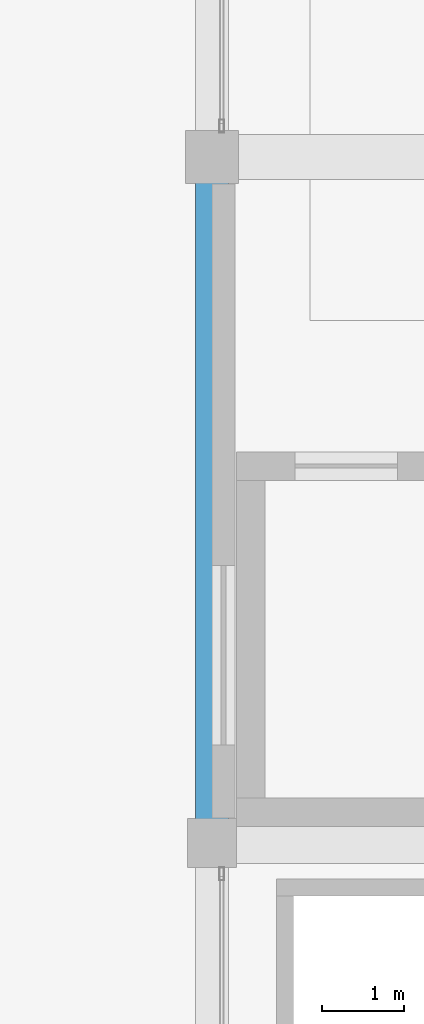
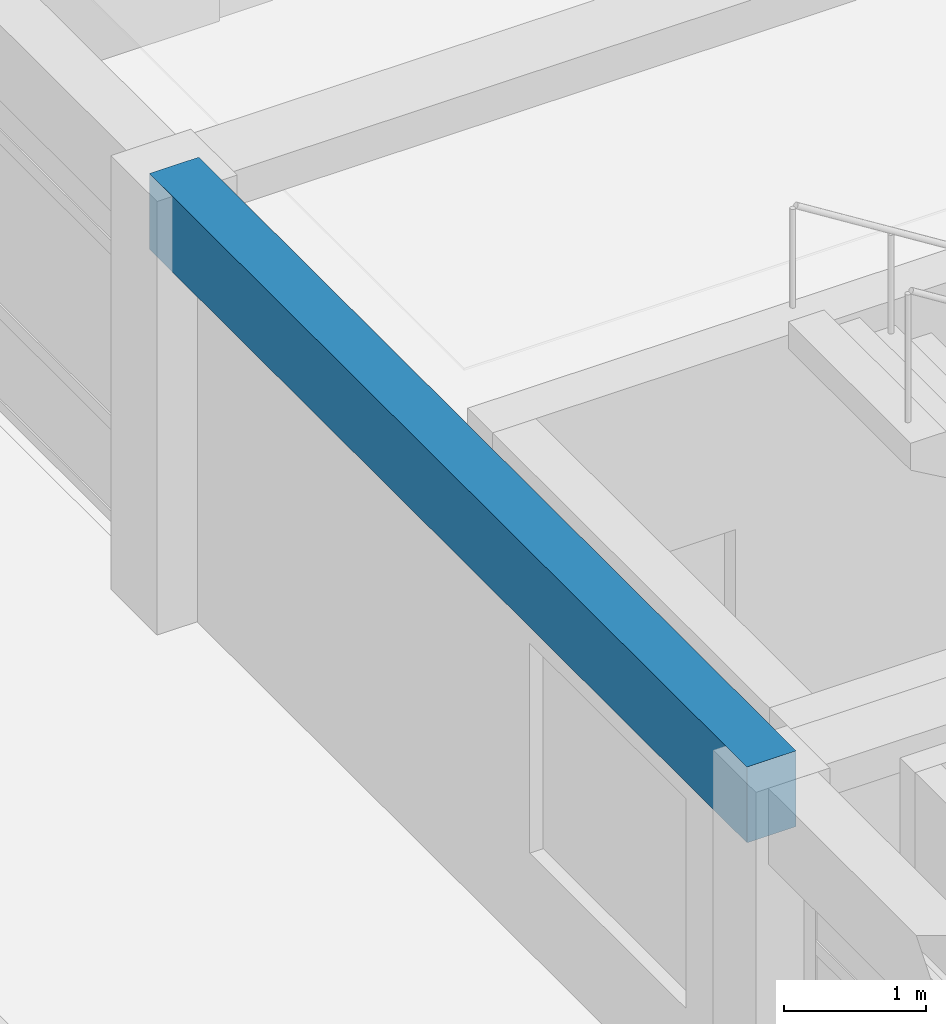
# One storey, part 3 of 26: 1 beam.
"""IFC4 building model written with IfcOpenShell, lengths in metres."""

import ifcopenshell
import ifcopenshell.guid

model = None  # the IFC model being written
_history = None  # IfcOwnerHistory: only IFC2X3 demands one
_inside = {}  # id of a spatial element -> (the spatial element, [elements in it])
_under = {}  # id of a project, library or spatial element -> (it, [spatial elements below it])
_declared = {}  # id of a project -> (the project, [libraries it declares])
_typed = {}  # id of a type object -> (the type object, [elements of that type])
_made_of = {}  # id of a material, layer set ... -> (it, [elements and type objects made of it])


def new_model(schema):
    """Start an empty IFC model of exactly this schema.

    Asked for "IFC4X3", IfcOpenShell would pick the latest addendum, in which some entities
    have other attributes; the version numbers below select the first issue.
    IFC2X3 requires an IfcOwnerHistory on every rooted entity: one is made here for all.
    """
    global model, _history
    if schema == "IFC4X3":
        model = ifcopenshell.file(schema_version=(4, 3, 0, 0))
    else:
        model = ifcopenshell.file(schema=schema)
    _inside.clear()
    _under.clear()
    _declared.clear()
    _typed.clear()
    _made_of.clear()
    _history = None
    if model.schema == "IFC2X3":
        org = make("IfcOrganization", Name="unknown")
        user = make(
            "IfcPersonAndOrganization",
            ThePerson=make("IfcPerson", FamilyName="unknown"),
            TheOrganization=org,
        )
        app = make(
            "IfcApplication",
            ApplicationDeveloper=org,
            Version="unknown",
            ApplicationFullName="unknown",
            ApplicationIdentifier="unknown",
        )
        _history = make(
            "IfcOwnerHistory",
            OwningUser=user,
            OwningApplication=app,
            ChangeAction="ADDED",
            CreationDate=0,
        )
    return model


def make(cls, **values):
    """One entity of the class cls with the attributes given. An attribute that is None is left unset."""
    return model.create_entity(
        cls, **{name: value for name, value in values.items() if value is not None}
    )


def rooted(cls, **values):
    """An entity with a GlobalId (a new one), such as an element, a storey or a relation."""
    return make(cls, GlobalId=ifcopenshell.guid.new(), OwnerHistory=_history, **values)


def si_unit(unit_type, name, prefix=None):
    """IfcSIUnit, for example si_unit("LENGTHUNIT", "METRE", prefix="MILLI")."""
    return make("IfcSIUnit", UnitType=unit_type, Prefix=prefix, Name=name)


def assignment(units):
    """IfcUnitAssignment: the units of a project."""
    return None if units is None else make("IfcUnitAssignment", Units=units)


def point(xyz):
    """IfcCartesianPoint."""
    return None if xyz is None else make("IfcCartesianPoint", Coordinates=xyz)


def direction(xyz):
    """IfcDirection."""
    return None if xyz is None else make("IfcDirection", DirectionRatios=xyz)


def frame(location, z_axis=None, x_axis=None):
    """IfcAxis2Placement3D, a coordinate frame: its origin and axes. An axis left out is left unset."""
    return make(
        "IfcAxis2Placement3D",
        Location=point(location),
        Axis=direction(z_axis),
        RefDirection=direction(x_axis),
    )


def frame_2d(location, x_axis=None):
    """IfcAxis2Placement2D, a coordinate frame in the plane: its origin and x axis."""
    return make(
        "IfcAxis2Placement2D", Location=point(location), RefDirection=direction(x_axis)
    )


def origin():
    """The frame at (0, 0, 0) with its axes left unset."""
    return frame((0.0, 0.0, 0.0))


def origin_2d():
    """The frame at (0, 0) in the plane with its x axis left unset."""
    return frame_2d((0.0, 0.0))


def place(relative_to, where):
    """IfcLocalPlacement: puts the frame where relative to a parent placement (None: the world)."""
    return make(
        "IfcLocalPlacement", PlacementRelTo=relative_to, RelativePlacement=where
    )


def context(
    kind, dimensions, precision=None, world=None, true_north=None, identifier=None
):
    """IfcGeometricRepresentationContext, for example the 3D "Model" context."""
    return make(
        "IfcGeometricRepresentationContext",
        ContextIdentifier=identifier,
        ContextType=kind,
        CoordinateSpaceDimension=dimensions,
        Precision=precision,
        WorldCoordinateSystem=world,
        TrueNorth=true_north,
    )


def subcontext(parent, identifier, kind, view, scale=None):
    """IfcGeometricRepresentationSubContext, for example "Body" below "Model"."""
    return make(
        "IfcGeometricRepresentationSubContext",
        ContextIdentifier=identifier,
        ContextType=kind,
        ParentContext=parent,
        TargetScale=scale,
        TargetView=view,
    )


def project(units=None, contexts=None):
    """IfcProject with its units and contexts."""
    return rooted(
        "IfcProject",
        Name="project",
        RepresentationContexts=contexts,
        UnitsInContext=assignment(units),
    )


def spatial(cls, under=None, at=None, **own):
    """A site, building, storey or space (cls), placed at a placement, below another one or the project."""
    s = rooted(cls, ObjectPlacement=at, **own)
    if under is not None:
        _under.setdefault(under.id(), (under, []))[1].append(s)
    return s


def profile(cls, at=None, kind="AREA", **sizes):
    """A parametric profile (cls). Its sizes go by their IFC names, for example OverallWidth=200.0."""
    return make(cls, ProfileType=kind, Position=at, **sizes)


def rectangle(**sizes):
    """IfcRectangleProfileDef."""
    return profile("IfcRectangleProfileDef", **sizes)


def extrude(swept, where, along, depth):
    """IfcExtrudedAreaSolid: the profile swept, set in the frame where, extruded along a direction by depth."""
    return make(
        "IfcExtrudedAreaSolid",
        SweptArea=swept,
        Position=where,
        ExtrudedDirection=direction(along),
        Depth=depth,
    )


def shape(context_of_items, identifier, shape_type, items):
    """IfcShapeRepresentation: the items that make up one representation, for example the "Body"."""
    return make(
        "IfcShapeRepresentation",
        ContextOfItems=context_of_items,
        RepresentationIdentifier=identifier,
        RepresentationType=shape_type,
        Items=items,
    )


def material(Name=None, Category=None):
    """IfcMaterial."""
    return make("IfcMaterial", Name=Name, Category=Category)


def material_profile(
    of_material, cross_section, Name=None, Category=None, Priority=None
):
    """IfcMaterialProfile: a cross section and its material."""
    return make(
        "IfcMaterialProfile",
        Name=Name,
        Material=of_material,
        Profile=cross_section,
        Priority=Priority,
        Category=Category,
    )


def profile_set(profiles, Name=None, composite=None):
    """IfcMaterialProfileSet."""
    return make(
        "IfcMaterialProfileSet",
        Name=Name,
        MaterialProfiles=profiles,
        CompositeProfile=composite,
    )


def made_of(thing, what):
    """Note that an element or type object is made of a material, layer set ...; save() writes the relation."""
    if what is not None:
        _made_of.setdefault(what.id(), (what, []))[1].append(thing)
    return thing


def type_object(cls, material=None, **own):
    """A type object (cls), such as IfcWallType, which elements share."""
    return made_of(rooted(cls, **own), material)


def element(
    cls,
    number,
    at=None,
    inside=None,
    cuts=None,
    type_object=None,
    material=None,
    context=None,
    identifier="Body",
    shape_type=None,
    held_by="IfcProductDefinitionShape",
    body=None,
    shapes=None,
    **own,
):
    """One element of the class cls, such as IfcWall. Its Tag is "e" and its number.

    at: its placement. inside: the storey or other place that contains it. cuts: it is an
    opening in that element (IfcRelVoidsElement). A single representation is given by context,
    identifier, shape_type and body (its items); several are given by shapes. held_by: the class
    of the entity that holds the representations. save() writes the other relations.
    """
    e = rooted(cls, Tag="e%d" % number, ObjectPlacement=at, **own)
    if body is not None:
        shapes = [shape(context, identifier, shape_type, body)]
    if shapes is not None:
        e.Representation = make(held_by, Representations=shapes)
    if inside is not None:
        _inside.setdefault(inside.id(), (inside, []))[1].append(e)
    if cuts is not None:
        rooted(
            "IfcRelVoidsElement", RelatingBuildingElement=cuts, RelatedOpeningElement=e
        )
    if type_object is not None:
        _typed.setdefault(type_object.id(), (type_object, []))[1].append(e)
    return made_of(e, material)


def aggregate(whole, parts):
    """IfcRelAggregates: a whole, such as a stair, and the parts it consists of."""
    return rooted("IfcRelAggregates", RelatingObject=whole, RelatedObjects=parts)


def save(model, path):
    """Write the relations noted so far, then the file.

    IfcRelAggregates (storeys below a building ...), IfcRelContainedInSpatialStructure (elements
    in a storey), IfcRelDefinesByType, IfcRelAssociatesMaterial and IfcRelDeclares: one each for
    every whole, place, type object, material and project.
    """
    for whole, parts in _under.values():
        aggregate(whole, parts)
    for where, things in _inside.values():
        rooted(
            "IfcRelContainedInSpatialStructure",
            RelatedElements=things,
            RelatingStructure=where,
        )
    for kind, things in _typed.values():
        rooted("IfcRelDefinesByType", RelatedObjects=things, RelatingType=kind)
    for what, things in _made_of.values():
        rooted("IfcRelAssociatesMaterial", RelatedObjects=things, RelatingMaterial=what)
    for by, libraries in _declared.values():
        rooted("IfcRelDeclares", RelatingContext=by, RelatedDefinitions=libraries)
    model.write(path)


model = new_model("IFC4")

# Units and contexts
model_context = context("Model", 3, precision=1e-05, world=origin(), true_north=direction((0.0, 1.0)))
body_context = subcontext(model_context, "Body", "Model", "MODEL_VIEW")
ifc_project = project(units=[si_unit("LENGTHUNIT", "METRE"), si_unit("AREAUNIT", "SQUARE_METRE"), si_unit("VOLUMEUNIT", "CUBIC_METRE"), si_unit("PLANEANGLEUNIT", "RADIAN"), si_unit("MASSUNIT", "GRAM", prefix="KILO")], contexts=[model_context])

# Site, building, storey
site_placement = place(None, origin())
site = spatial("IfcSite", under=ifc_project, at=site_placement, CompositionType="ELEMENT")
building_placement = place(site_placement, origin())
building = spatial("IfcBuilding", under=site, at=building_placement, Name="Almacenes y Pasaje Nevantli", CompositionType="ELEMENT")
storey_placement = place(building_placement, frame((0.0, 0.0, 42.699951171875)))
storey = spatial("IfcBuildingStorey", under=building, at=storey_placement, Name="L10", CompositionType="ELEMENT", Elevation=42.699951171875)

# Beam
ifc_material = material(Name="Concrete C35/45", Category="concrete")
ifc_material_profile = material_profile(ifc_material, rectangle(XDim=0.39990234375, YDim=0.64990234375, at=origin_2d()), Name="RC-BM-400x650")
ifc_profile_set = profile_set([ifc_material_profile], Name="Concrete C35/45")
beam_type = type_object("IfcBeamType", Name="BM-RC-400x650", PredefinedType="SPANDREL", material=ifc_profile_set)
beam_placement = place(storey_placement, frame((117.60009765625, 75.60009765625, 3.39501953125), z_axis=(0.0, 1.0, 0.0), x_axis=(-1.0, 0.0, 0.0)))
element("IfcBeam", 1, at=beam_placement, inside=storey, type_object=beam_type, Name="L10 North-South Reinforced Concrete Beam #3823", PredefinedType="SPANDREL", context=body_context, shape_type="SweptSolid", body=[
    extrude(rectangle(XDim=0.39990234375, YDim=0.64990234375, at=origin_2d()), origin(), (0.0, 0.0, 1.0), 8.39990234375),
])

save(model, "model.ifc")
